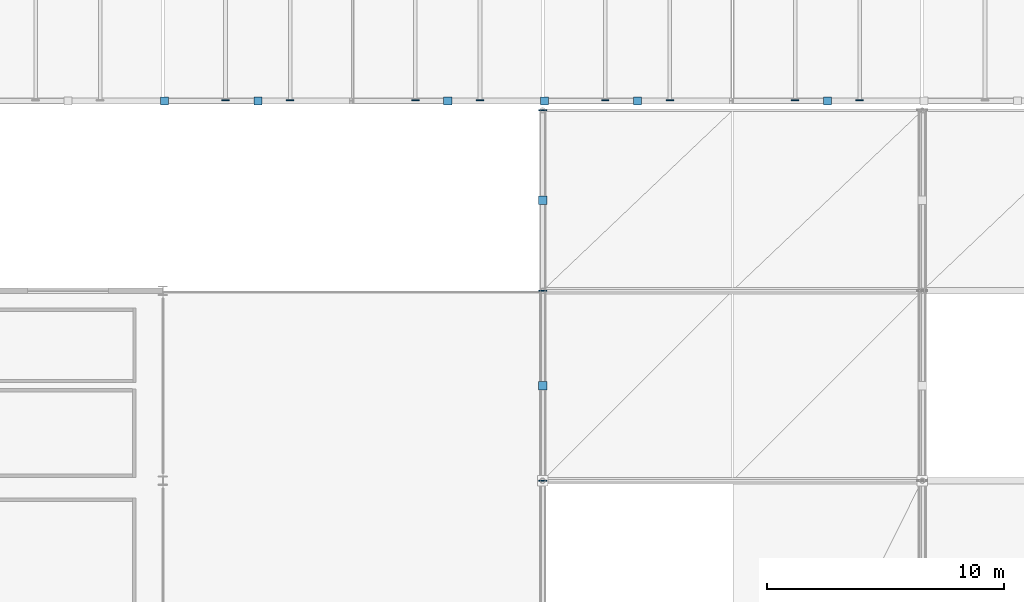
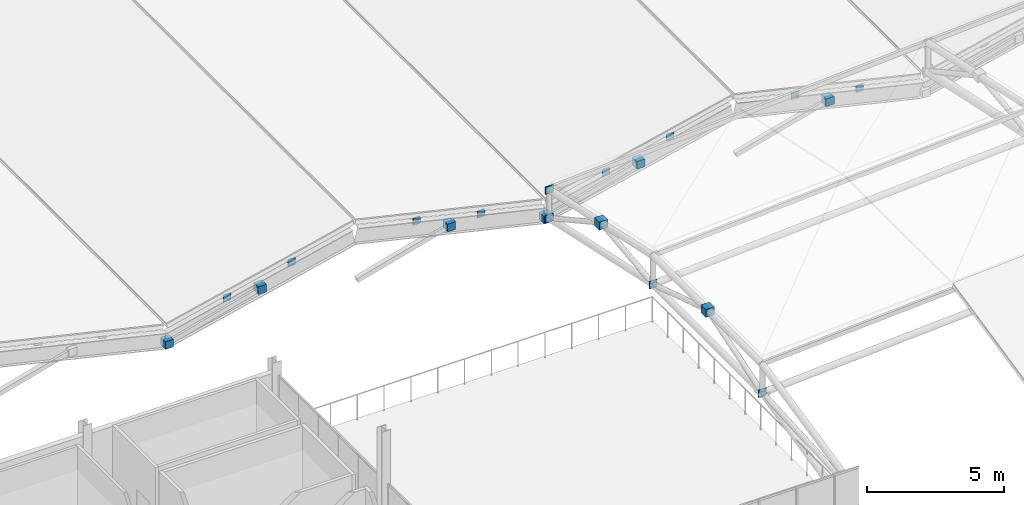
# One storey, part 49 of 67: 20 discrete accessories.
"""IFC4 building model written with IfcOpenShell, lengths in metres."""

from ifc_helpers import new_model, si_unit, direction, frame, origin, origin_2d, place, context, subcontext, project, spatial, rectangle, extrude, material, type_object, element, save


model = new_model("IFC4")

# Units and contexts
model_context = context("Model", 3, precision=1e-05, world=origin(), true_north=direction((0.0, 1.0)))
body_context = subcontext(model_context, "Body", "Model", "MODEL_VIEW")
ifc_project = project(units=[si_unit("LENGTHUNIT", "METRE"), si_unit("AREAUNIT", "SQUARE_METRE"), si_unit("VOLUMEUNIT", "CUBIC_METRE"), si_unit("PLANEANGLEUNIT", "RADIAN"), si_unit("MASSUNIT", "GRAM", prefix="KILO")], contexts=[model_context])

# Site, building, storey
site_placement = place(None, origin())
site = spatial("IfcSite", under=ifc_project, at=site_placement, CompositionType="ELEMENT")
building_placement = place(site_placement, origin())
building = spatial("IfcBuilding", under=site, at=building_placement, Name="Drelvath Fold Interchange", CompositionType="ELEMENT")
storey_placement = place(building_placement, frame((0.0, 0.0, 15.60009765625)))
storey = spatial("IfcBuildingStorey", under=building, at=storey_placement, Name="L03", CompositionType="ELEMENT", Elevation=15.60009765625)

# Discrete accessories
ifc_material = material(Name="Steel ASTM A572 Grade 50", Category="steel")
discrete_accessory_type = type_object("IfcDiscreteAccessoryType", Name="AC-CAP380", PredefinedType="BRACKET", material=ifc_material)
for number, where, z_axis, x_axis, name in (
    (1, (52.0, 43.0048828125, 1.452392578125), (0.0, 0.0, 1.0), (1.0, 0.0, 0.0), "Welded hollow member end cap 141"),
    (2, (52.0, 51.0048828125, 1.451416015625), (0.0, 0.0, 1.0), (1.0, 0.0, 0.0), "Welded hollow member end cap 144"),
):
    element("IfcDiscreteAccessory", number, at=place(storey_placement, frame(where, z_axis=z_axis, x_axis=x_axis)), inside=storey, type_object=discrete_accessory_type, Name=name, PredefinedType="BRACKET", context=body_context, shape_type="SweptSolid", body=[
        extrude(rectangle(XDim=0.3330078125, YDim=0.0400390625, at=origin_2d()), origin(), (0.0, 0.0, 1.0), 0.3330078125),
    ])
discrete_accessory_1_placement = place(storey_placement, frame((52.0, 47.0048828125, 2.71044921875), z_axis=(0.0, 0.0, 1.0), x_axis=(1.0, 0.0, 0.0)))
element("IfcDiscreteAccessory", 3, at=discrete_accessory_1_placement, inside=storey, type_object=discrete_accessory_type, Name="Welded hollow member end cap 145", PredefinedType="BRACKET", context=body_context, shape_type="SweptSolid", body=[
    extrude(rectangle(XDim=0.35888671875, YDim=0.35888671875, at=origin_2d()), origin(), (0.0, 0.0, 1.0), 0.35888671875),
])
for number, where, z_axis, x_axis, name in (
    (4, (52.0, 58.60498046875, -0.20654296875), (0.0, 0.0, 1.0), (1.0, 0.0, 0.0), "Welded hollow member end cap 146"),
    (5, (52.0, 58.60498046875, 1.0634765625), (0.0, 0.0, 1.0), (1.0, 0.0, 0.0), "Welded hollow member end cap 147"),
):
    element("IfcDiscreteAccessory", number, at=place(storey_placement, frame(where, z_axis=z_axis, x_axis=x_axis)), inside=storey, type_object=discrete_accessory_type, Name=name, PredefinedType="BRACKET", context=body_context, shape_type="SweptSolid", body=[
        extrude(rectangle(XDim=0.3330078125, YDim=0.0400390625, at=origin_2d()), origin(), (0.0, 0.0, 1.0), 0.3330078125),
    ])
discrete_accessory_2_placement = place(storey_placement, frame((52.0, 54.804931640625, 1.88134765625), z_axis=(0.0, 0.0, 1.0), x_axis=(1.0, 0.0, 0.0)))
element("IfcDiscreteAccessory", 6, at=discrete_accessory_2_placement, inside=storey, type_object=discrete_accessory_type, Name="Welded hollow member end cap 148", PredefinedType="BRACKET", context=body_context, shape_type="SweptSolid", body=[
    extrude(rectangle(XDim=0.35888671875, YDim=0.35888671875, at=origin_2d()), origin(), (0.0, 0.0, 1.0), 0.35888671875),
])
for number, where, z_axis, x_axis, name in (
    (7, (36.074951171875, 59.0, -0.42236328125), (0.0, 0.0, 1.0), (1.0, 0.0, 0.0), "Welded hollow member end cap 380"),
    (8, (40.0048828125, 59.0, 0.654296875), (0.0, 0.0, 1.0), (1.0, 0.0, 0.0), "Welded hollow member end cap 381"),
):
    element("IfcDiscreteAccessory", number, at=place(storey_placement, frame(where, z_axis=z_axis, x_axis=x_axis)), inside=storey, type_object=discrete_accessory_type, Name=name, PredefinedType="BRACKET", context=body_context, shape_type="SweptSolid", body=[
        extrude(rectangle(XDim=0.343017578125, YDim=0.343017578125, at=origin_2d()), origin(), (0.0, 0.0, 1.0), 0.343017578125),
    ])
for number, where, z_axis, x_axis, name in (
    (9, (38.639892578125, 59.034912109375, 0.6708984375), (0.0, 0.0, 1.0), (1.0, 0.0, 0.0), "Welded hollow member end cap 394"),
    (10, (41.360107421875, 59.034912109375, 1.2998046875), (0.0, 0.0, 1.0), (1.0, 0.0, 0.0), "Welded hollow member end cap 399"),
):
    element("IfcDiscreteAccessory", number, at=place(storey_placement, frame(where, z_axis=z_axis, x_axis=x_axis)), inside=storey, type_object=discrete_accessory_type, Name=name, PredefinedType="BRACKET", context=body_context, shape_type="SweptSolid", body=[
        extrude(rectangle(XDim=0.31396484375, YDim=0.0400390625, at=origin_2d()), origin(), (0.0, 0.0, 1.0), 0.31396484375),
    ])
discrete_accessory_3_placement = place(storey_placement, frame((48.0048828125, 59.0, 0.654296875), z_axis=(0.0, 0.0, 1.0), x_axis=(1.0, 0.0, 0.0)))
element("IfcDiscreteAccessory", 11, at=discrete_accessory_3_placement, inside=storey, type_object=discrete_accessory_type, Name="Welded hollow member end cap 405", PredefinedType="BRACKET", context=body_context, shape_type="SweptSolid", body=[
    extrude(rectangle(XDim=0.343017578125, YDim=0.343017578125, at=origin_2d()), origin(), (0.0, 0.0, 1.0), 0.343017578125),
])
for number, where, z_axis, x_axis, name in (
    (12, (46.639892578125, 59.034912109375, 1.2998046875), (0.0, 0.0, 1.0), (1.0, 0.0, 0.0), "Welded hollow member end cap 414"),
    (13, (49.360107421875, 59.034912109375, 0.6708984375), (0.0, 0.0, 1.0), (1.0, 0.0, 0.0), "Welded hollow member end cap 419"),
):
    element("IfcDiscreteAccessory", number, at=place(storey_placement, frame(where, z_axis=z_axis, x_axis=x_axis)), inside=storey, type_object=discrete_accessory_type, Name=name, PredefinedType="BRACKET", context=body_context, shape_type="SweptSolid", body=[
        extrude(rectangle(XDim=0.31396484375, YDim=0.0400390625, at=origin_2d()), origin(), (0.0, 0.0, 1.0), 0.31396484375),
    ])
for number, where, z_axis, x_axis, name in (
    (14, (52.074951171875, 59.0, -0.42236328125), (0.0, 0.0, 1.0), (1.0, 0.0, 0.0), "Welded hollow member end cap 425"),
    (15, (56.0048828125, 59.0, 0.654296875), (0.0, 0.0, 1.0), (1.0, 0.0, 0.0), "Welded hollow member end cap 426"),
):
    element("IfcDiscreteAccessory", number, at=place(storey_placement, frame(where, z_axis=z_axis, x_axis=x_axis)), inside=storey, type_object=discrete_accessory_type, Name=name, PredefinedType="BRACKET", context=body_context, shape_type="SweptSolid", body=[
        extrude(rectangle(XDim=0.343017578125, YDim=0.343017578125, at=origin_2d()), origin(), (0.0, 0.0, 1.0), 0.343017578125),
    ])
for number, where, z_axis, x_axis, name in (
    (16, (54.639892578125, 59.034912109375, 0.6708984375), (0.0, 0.0, 1.0), (1.0, 0.0, 0.0), "Welded hollow member end cap 439"),
    (17, (57.360107421875, 59.034912109375, 1.2998046875), (0.0, 0.0, 1.0), (1.0, 0.0, 0.0), "Welded hollow member end cap 444"),
):
    element("IfcDiscreteAccessory", number, at=place(storey_placement, frame(where, z_axis=z_axis, x_axis=x_axis)), inside=storey, type_object=discrete_accessory_type, Name=name, PredefinedType="BRACKET", context=body_context, shape_type="SweptSolid", body=[
        extrude(rectangle(XDim=0.31396484375, YDim=0.0400390625, at=origin_2d()), origin(), (0.0, 0.0, 1.0), 0.31396484375),
    ])
discrete_accessory_4_placement = place(storey_placement, frame((64.0048828125, 59.0, 0.654296875), z_axis=(0.0, 0.0, 1.0), x_axis=(1.0, 0.0, 0.0)))
element("IfcDiscreteAccessory", 18, at=discrete_accessory_4_placement, inside=storey, type_object=discrete_accessory_type, Name="Welded hollow member end cap 450", PredefinedType="BRACKET", context=body_context, shape_type="SweptSolid", body=[
    extrude(rectangle(XDim=0.343017578125, YDim=0.343017578125, at=origin_2d()), origin(), (0.0, 0.0, 1.0), 0.343017578125),
])
for number, where, z_axis, x_axis, name in (
    (19, (62.639892578125, 59.034912109375, 1.2998046875), (0.0, 0.0, 1.0), (1.0, 0.0, 0.0), "Welded hollow member end cap 459"),
    (20, (65.360107421875, 59.034912109375, 0.6708984375), (0.0, 0.0, 1.0), (1.0, 0.0, 0.0), "Welded hollow member end cap 464"),
):
    element("IfcDiscreteAccessory", number, at=place(storey_placement, frame(where, z_axis=z_axis, x_axis=x_axis)), inside=storey, type_object=discrete_accessory_type, Name=name, PredefinedType="BRACKET", context=body_context, shape_type="SweptSolid", body=[
        extrude(rectangle(XDim=0.31396484375, YDim=0.0400390625, at=origin_2d()), origin(), (0.0, 0.0, 1.0), 0.31396484375),
    ])

save(model, "model.ifc")
